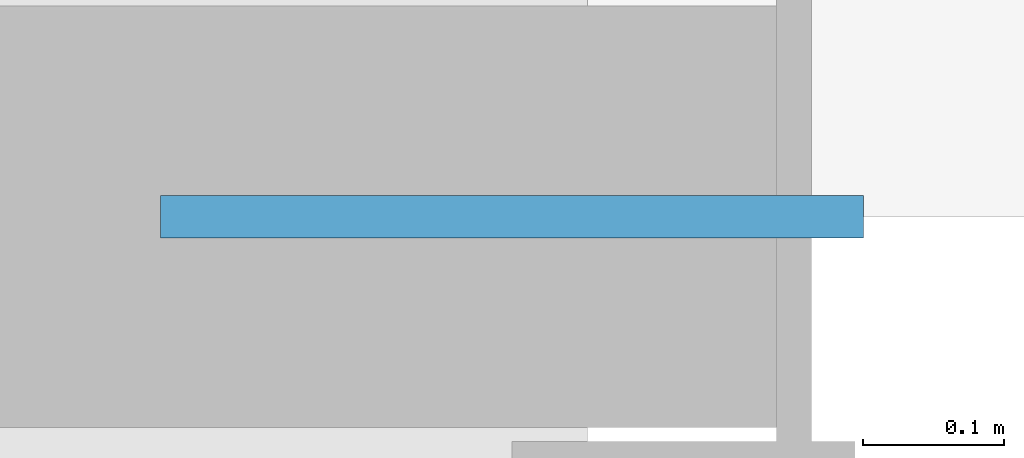
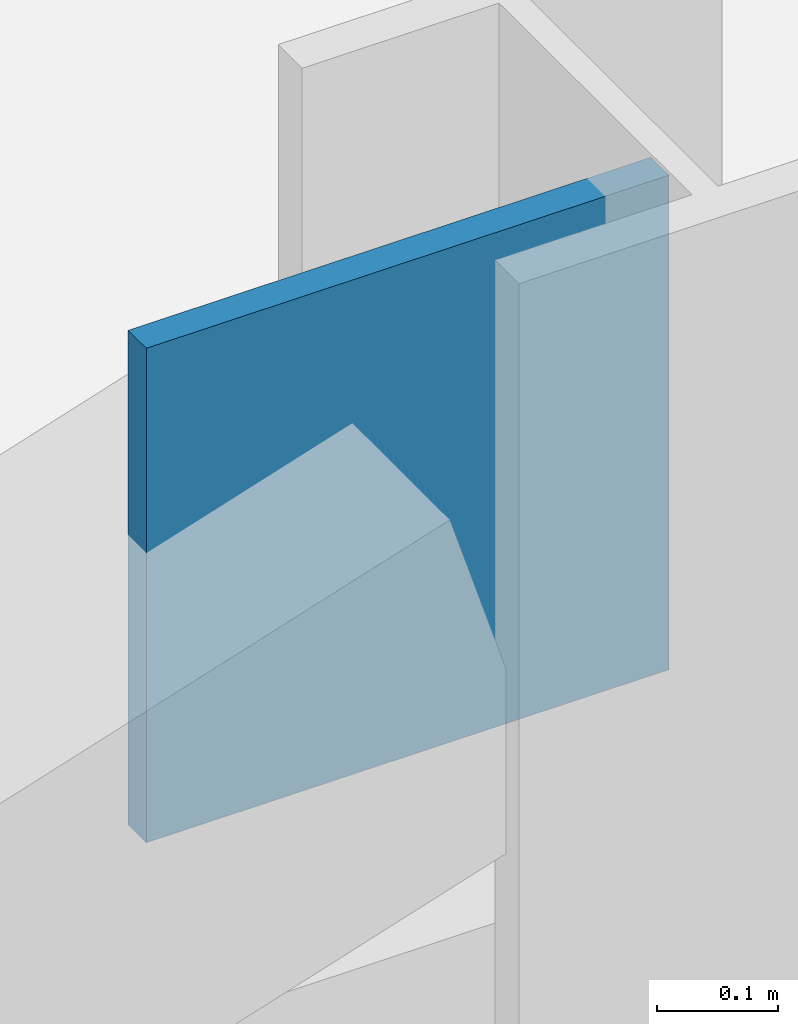
# One storey, part 21 of 30: 1 discrete accessory.
"""IFC4 building model written with IfcOpenShell, lengths in metres."""

from ifc_helpers import new_model, si_unit, direction, frame, origin, origin_2d, place, context, subcontext, project, spatial, rectangle, extrude, material, layer, layer_set, type_object, element, save


model = new_model("IFC4")

# Units and contexts
model_context = context("Model", 3, precision=1e-05, world=origin(), true_north=direction((0.0, 1.0)))
body_context = subcontext(model_context, "Body", "Model", "MODEL_VIEW")
ifc_project = project(units=[si_unit("LENGTHUNIT", "METRE"), si_unit("AREAUNIT", "SQUARE_METRE"), si_unit("VOLUMEUNIT", "CUBIC_METRE"), si_unit("PLANEANGLEUNIT", "RADIAN"), si_unit("MASSUNIT", "GRAM", prefix="KILO")], contexts=[model_context])

# Site, building, storey
site_placement = place(None, origin())
site = spatial("IfcSite", under=ifc_project, at=site_placement, CompositionType="ELEMENT")
building_placement = place(site_placement, origin())
building = spatial("IfcBuilding", under=site, at=building_placement, Name="Mahtab Terrace Research Tower", CompositionType="ELEMENT")
storey_placement = place(building_placement, frame((0.0, 0.0, 216.699951171875)))
storey = spatial("IfcBuildingStorey", under=building, at=storey_placement, Name="L52", CompositionType="ELEMENT", Elevation=216.699951171875)

# Discrete accessory
ifc_material = material(Name="Steel ASTM A992 Gr 50", Category="steel")
ifc_layer = layer(ifc_material, 0.030029296875)
ifc_layer_set = layer_set([ifc_layer], Name="Gusset plate 500x500x30")
discrete_accessory_type = type_object("IfcDiscreteAccessoryType", Name="Gusset plate 500x500x30", PredefinedType="USERDEFINED", material=ifc_layer_set)
discrete_accessory_placement = place(storey_placement, frame((17.79931640625, -23.0, 2.870361328125), z_axis=(0.0, 0.0, 1.0), x_axis=(1.0, 0.0, 0.0)))
element("IfcDiscreteAccessory", 1, at=discrete_accessory_placement, inside=storey, type_object=discrete_accessory_type, Name="Gusset plate", ObjectType="GUSSET PLATE", PredefinedType="USERDEFINED", context=body_context, shape_type="SweptSolid", body=[
    extrude(rectangle(XDim=0.5, YDim=0.030029296875, at=origin_2d()), origin(), (0.0, 0.0, 1.0), 0.5),
])

save(model, "model.ifc")
